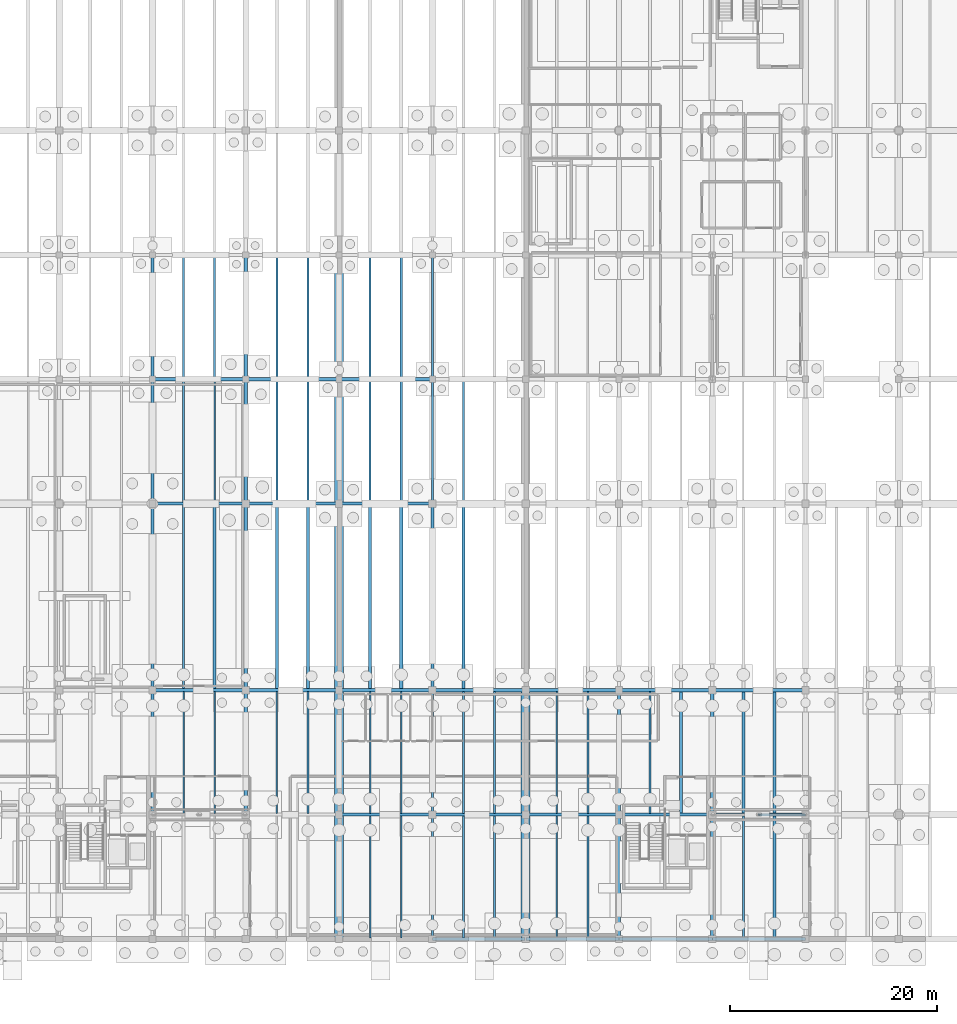
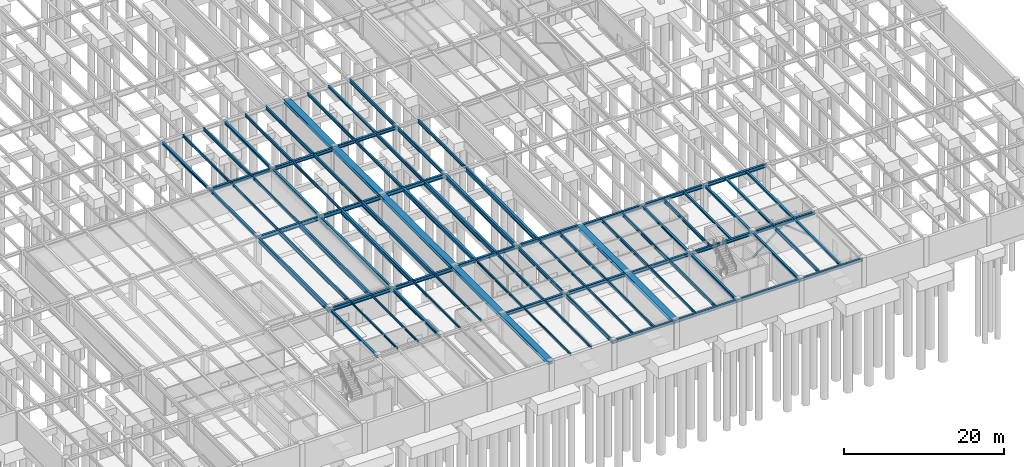
# One storey, part 16 of 40: 88 beams, 2 members.
"""IFC4 building model written with IfcOpenShell, lengths in metres."""

from ifc_helpers import new_model, si_unit, direction, frame, origin, origin_2d, place, context, subcontext, project, spatial, hollow_circle, i_section, extrude, material, material_profile, profile_set, type_object, element, save


model = new_model("IFC4")

# Units and contexts
model_context = context("Model", 3, precision=1e-05, world=origin(), true_north=direction((0.0, 1.0)))
body_context = subcontext(model_context, "Body", "Model", "MODEL_VIEW")
ifc_project = project(units=[si_unit("LENGTHUNIT", "METRE"), si_unit("AREAUNIT", "SQUARE_METRE"), si_unit("VOLUMEUNIT", "CUBIC_METRE"), si_unit("PLANEANGLEUNIT", "RADIAN"), si_unit("MASSUNIT", "GRAM", prefix="KILO")], contexts=[model_context])

# Site, building, storey
site_placement = place(None, origin())
site = spatial("IfcSite", under=ifc_project, at=site_placement, CompositionType="ELEMENT")
building_placement = place(site_placement, origin())
building = spatial("IfcBuilding", under=site, at=building_placement, Name="Montelvaro Courts of Justice", CompositionType="ELEMENT")
storey_placement = place(building_placement, frame((0.0, 0.0, -4.5)))
storey = spatial("IfcBuildingStorey", under=building, at=storey_placement, Name="B01", CompositionType="ELEMENT", Elevation=-4.5)

# Beams
ifc_material = material(Name="Steel S355", Category="steel")
ifc_material_profile_1 = material_profile(ifc_material, i_section(OverallWidth=0.280029296875, OverallDepth=0.27001953125, WebThickness=0.008056640625, FlangeThickness=0.012939453125, at=origin_2d()), Name="HEA 280")
ifc_profile_set_1 = profile_set([ifc_material_profile_1], Name="Steel S355")
beam_type_1 = type_object("IfcBeamType", Name="Beam_HEA280", PredefinedType="BEAM", material=ifc_profile_set_1)
for number, where, z_axis, x_axis, name in (
    (1, (87.0, 54.110107421875, 4.18505859375), (0.0, 1.0, 0.0), (-1.0, 0.0, 0.0), "Beam B-14 B01"),
    (2, (114.0, 12.110107421875, 4.044921875), (0.0, 1.0, 0.0), (-1.0, 0.0, 0.0), "Beam B-14 B01"),
    (3, (123.0, 0.110107421875, 4.044921875), (0.0, 1.0, 0.0), (-1.0, 0.0, 0.0), "Beam B-14 B01"),
    (4, (120.0, 12.110107421875, 4.044921875), (0.0, 1.0, 0.0), (-1.0, 0.0, 0.0), "Beam B-14 B01"),
):
    element("IfcBeam", number, at=place(storey_placement, frame(where, z_axis=z_axis, x_axis=x_axis)), inside=storey, type_object=beam_type_1, Name=name, PredefinedType="BEAM", context=body_context, shape_type="SweptSolid", body=[
        extrude(i_section(OverallWidth=0.280029296875, OverallDepth=0.27001953125, WebThickness=0.008056640625, FlangeThickness=0.012939453125, at=origin_2d()), origin(), (0.0, 0.0, 1.0), 11.77978515625),
    ])
ifc_material_profile_2 = material_profile(ifc_material, i_section(OverallWidth=0.300048828125, OverallDepth=0.31005859375, WebThickness=0.009033203125, FlangeThickness=0.015380859375, at=origin_2d()), Name="HEA 320")
ifc_profile_set_2 = profile_set([ifc_material_profile_2], Name="Steel S355")
beam_type_2 = type_object("IfcBeamType", Name="Beam_HEA320", PredefinedType="BEAM", material=ifc_profile_set_2)
beam_1_placement = place(storey_placement, frame((123.0, 12.110107421875, 4.02490234375), z_axis=(0.0, 1.0, 0.0), x_axis=(-1.0, 0.0, 0.0)))
element("IfcBeam", 5, at=beam_1_placement, inside=storey, type_object=beam_type_2, Name="Beam B-15 B01", PredefinedType="BEAM", context=body_context, shape_type="SweptSolid", body=[
    extrude(i_section(OverallWidth=0.300048828125, OverallDepth=0.31005859375, WebThickness=0.009033203125, FlangeThickness=0.015380859375, at=origin_2d()), origin(), (0.0, 0.0, 1.0), 11.77978515625),
])
ifc_material_profile_3 = material_profile(ifc_material, i_section(OverallWidth=0.300048828125, OverallDepth=0.35009765625, WebThickness=0.010009765625, FlangeThickness=0.017578125, at=origin_2d()), Name="HEA 360")
ifc_profile_set_3 = profile_set([ifc_material_profile_3], Name="Steel S355")
beam_type_3 = type_object("IfcBeamType", Name="Beam_HEA360", PredefinedType="USERDEFINED", material=ifc_profile_set_3)
for number, where, z_axis, x_axis, name in (
    (6, (108.0, 0.0, 4.0048828125), (0.0, 1.0, 0.0), (-1.0, 0.0, 0.0), "Beam B-16 B01"),
    (7, (108.0, 12.0, 4.0048828125), (0.0, 1.0, 0.0), (-1.0, 0.0, 0.0), "Beam B-16 B01"),
):
    element("IfcBeam", number, at=place(storey_placement, frame(where, z_axis=z_axis, x_axis=x_axis)), inside=storey, type_object=beam_type_3, Name=name, ObjectType="GIRDER", PredefinedType="USERDEFINED", context=body_context, shape_type="SweptSolid", body=[
        extrude(i_section(OverallWidth=0.300048828125, OverallDepth=0.35009765625, WebThickness=0.010009765625, FlangeThickness=0.017578125, at=origin_2d()), origin(), (0.0, 0.0, 1.0), 12.0),
    ])
ifc_material_profile_4 = material_profile(ifc_material, i_section(OverallWidth=0.300048828125, OverallDepth=0.389892578125, WebThickness=0.010986328125, FlangeThickness=0.01904296875, at=origin_2d()), Name="HEA 400")
ifc_profile_set_4 = profile_set([ifc_material_profile_4], Name="Steel S355")
beam_type_4 = type_object("IfcBeamType", Name="Beam_HEA400", PredefinedType="USERDEFINED", material=ifc_profile_set_4)
for number, where, z_axis, x_axis, name in (
    (8, (63.0, 12.0, 3.985107421875), (0.0, 1.0, 0.0), (-1.0, 0.0, 0.0), "Beam B-17 B01"),
    (9, (63.0, 42.0, 4.02490234375), (0.0, 1.0, 0.0), (-1.0, 0.0, 0.0), "Beam B-17 B01"),
    (10, (63.0, 54.0, 4.02490234375), (0.0, 1.0, 0.0), (-1.0, 0.0, 0.0), "Beam B-17 B01"),
    (11, (117.0, 0.0, 3.985107421875), (0.0, 1.0, 0.0), (-1.0, 0.0, 0.0), "Beam B-17 B01"),
    (12, (117.0, 12.0, 3.985107421875), (0.0, 1.0, 0.0), (-1.0, 0.0, 0.0), "Beam B-17 B01"),
):
    element("IfcBeam", number, at=place(storey_placement, frame(where, z_axis=z_axis, x_axis=x_axis)), inside=storey, type_object=beam_type_4, Name=name, ObjectType="GIRDER", PredefinedType="USERDEFINED", context=body_context, shape_type="SweptSolid", body=[
        extrude(i_section(OverallWidth=0.300048828125, OverallDepth=0.389892578125, WebThickness=0.010986328125, FlangeThickness=0.01904296875, at=origin_2d()), origin(), (0.0, 0.0, 1.0), 12.0),
    ])
ifc_material_profile_5 = material_profile(ifc_material, i_section(OverallWidth=0.300048828125, OverallDepth=0.43994140625, WebThickness=0.011474609375, FlangeThickness=0.02099609375, at=origin_2d()), Name="HEA 450")
ifc_profile_set_5 = profile_set([ifc_material_profile_5], Name="Steel S355")
beam_type_5 = type_object("IfcBeamType", Name="Beam_HEA450", PredefinedType="USERDEFINED", material=ifc_profile_set_5)
for number, where, z_axis, x_axis, name in (
    (13, (90.0, 0.0, 4.10009765625), (1.0, 0.0, 0.0), (0.0, 1.0, 0.0), "Beam B-18 B01"),
    (14, (99.050048828125, 0.0, 4.10009765625), (1.0, 0.0, 0.0), (0.0, 1.0, 0.0), "Beam B-18 B01"),
):
    element("IfcBeam", number, at=place(storey_placement, frame(where, z_axis=z_axis, x_axis=x_axis)), inside=storey, type_object=beam_type_5, Name=name, ObjectType="GIRDER", PredefinedType="USERDEFINED", context=body_context, shape_type="SweptSolid", body=[
        extrude(i_section(OverallWidth=0.300048828125, OverallDepth=0.43994140625, WebThickness=0.011474609375, FlangeThickness=0.02099609375, at=origin_2d()), origin(), (0.0, 0.0, 1.0), 8.949951171875),
    ])
for number, where, z_axis, x_axis, name in (
    (15, (108.0, 0.0, 4.10009765625), (1.0, 0.0, 0.0), (0.0, 1.0, 0.0), "Beam B-18 B01"),
    (16, (117.0, 0.0, 4.10009765625), (1.0, 0.0, 0.0), (0.0, 1.0, 0.0), "Beam B-18 B01"),
):
    element("IfcBeam", number, at=place(storey_placement, frame(where, z_axis=z_axis, x_axis=x_axis)), inside=storey, type_object=beam_type_5, Name=name, ObjectType="GIRDER", PredefinedType="USERDEFINED", context=body_context, shape_type="SweptSolid", body=[
        extrude(i_section(OverallWidth=0.300048828125, OverallDepth=0.43994140625, WebThickness=0.011474609375, FlangeThickness=0.02099609375, at=origin_2d()), origin(), (0.0, 0.0, 1.0), 9.0),
    ])
for number, where, z_axis, x_axis, name in (
    (17, (72.0, 12.0, 3.9599609375), (0.0, 1.0, 0.0), (-1.0, 0.0, 0.0), "Beam B-18 B01"),
    (18, (72.0, 42.0, 4.0), (0.0, 1.0, 0.0), (-1.0, 0.0, 0.0), "Beam B-18 B01"),
    (19, (72.0, 54.0, 4.0), (0.0, 1.0, 0.0), (-1.0, 0.0, 0.0), "Beam B-18 B01"),
):
    element("IfcBeam", number, at=place(storey_placement, frame(where, z_axis=z_axis, x_axis=x_axis)), inside=storey, type_object=beam_type_5, Name=name, ObjectType="GIRDER", PredefinedType="USERDEFINED", context=body_context, shape_type="SweptSolid", body=[
        extrude(i_section(OverallWidth=0.300048828125, OverallDepth=0.43994140625, WebThickness=0.011474609375, FlangeThickness=0.02099609375, at=origin_2d()), origin(), (0.0, 0.0, 1.0), 12.0),
    ])
ifc_material_profile_6 = material_profile(ifc_material, i_section(OverallWidth=0.300048828125, OverallDepth=0.489990234375, WebThickness=0.011962890625, FlangeThickness=0.02294921875, at=origin_2d()), Name="HEA 500")
ifc_profile_set_6 = profile_set([ifc_material_profile_6], Name="Steel S355")
beam_type_6 = type_object("IfcBeamType", Name="Beam_HEA500", PredefinedType="USERDEFINED", material=ifc_profile_set_6)
for number, where, z_axis, x_axis, name in (
    (20, (81.050048828125, 12.0, 4.074951171875), (1.0, 0.0, 0.0), (0.0, 1.0, 0.0), "Beam B-19 B01"),
    (21, (90.0, 12.0, 4.074951171875), (1.0, 0.0, 0.0), (0.0, 1.0, 0.0), "Beam B-19 B01"),
    (22, (99.050048828125, 12.0, 3.93505859375), (1.0, 0.0, 0.0), (0.0, 1.0, 0.0), "Beam B-19 B01"),
):
    element("IfcBeam", number, at=place(storey_placement, frame(where, z_axis=z_axis, x_axis=x_axis)), inside=storey, type_object=beam_type_6, Name=name, ObjectType="GIRDER", PredefinedType="USERDEFINED", context=body_context, shape_type="SweptSolid", body=[
        extrude(i_section(OverallWidth=0.300048828125, OverallDepth=0.489990234375, WebThickness=0.011962890625, FlangeThickness=0.02294921875, at=origin_2d()), origin(), (0.0, 0.0, 1.0), 8.949951171875),
    ])
for number, where, z_axis, x_axis, name in (
    (23, (108.0, 12.0, 3.93505859375), (1.0, 0.0, 0.0), (0.0, 1.0, 0.0), "Beam B-19 B01"),
    (24, (117.0, 12.0, 3.93505859375), (1.0, 0.0, 0.0), (0.0, 1.0, 0.0), "Beam B-19 B01"),
):
    element("IfcBeam", number, at=place(storey_placement, frame(where, z_axis=z_axis, x_axis=x_axis)), inside=storey, type_object=beam_type_6, Name=name, ObjectType="GIRDER", PredefinedType="USERDEFINED", context=body_context, shape_type="SweptSolid", body=[
        extrude(i_section(OverallWidth=0.300048828125, OverallDepth=0.489990234375, WebThickness=0.011962890625, FlangeThickness=0.02294921875, at=origin_2d()), origin(), (0.0, 0.0, 1.0), 9.0),
    ])
ifc_material_profile_7 = material_profile(ifc_material, i_section(OverallWidth=0.300048828125, OverallDepth=0.5400390625, WebThickness=0.012451171875, FlangeThickness=0.02392578125, at=origin_2d()), Name="HEA 550")
ifc_profile_set_7 = profile_set([ifc_material_profile_7], Name="Steel S355")
beam_type_7 = type_object("IfcBeamType", Name="Beam_HEA550", PredefinedType="USERDEFINED", material=ifc_profile_set_7)
beam_2_placement = place(storey_placement, frame((63.0, 24.0, 3.889892578125), z_axis=(1.0, 0.0, 0.0), x_axis=(0.0, 1.0, 0.0)))
element("IfcBeam", 25, at=beam_2_placement, inside=storey, type_object=beam_type_7, Name="Beam B-20 B01", ObjectType="GIRDER", PredefinedType="USERDEFINED", context=body_context, shape_type="SweptSolid", body=[
    extrude(i_section(OverallWidth=0.300048828125, OverallDepth=0.5400390625, WebThickness=0.012451171875, FlangeThickness=0.02392578125, at=origin_2d()), origin(), (0.0, 0.0, 1.0), 9.0),
])
for number, where, z_axis, x_axis, name in (
    (26, (72.0, 24.0, 3.909912109375), (1.0, 0.0, 0.0), (0.0, 1.0, 0.0), "Beam B-20 B01"),
    (27, (81.050048828125, 24.0, 4.050048828125), (1.0, 0.0, 0.0), (0.0, 1.0, 0.0), "Beam B-20 B01"),
    (28, (90.0, 24.0, 4.050048828125), (1.0, 0.0, 0.0), (0.0, 1.0, 0.0), "Beam B-20 B01"),
    (29, (99.050048828125, 24.0, 3.909912109375), (1.0, 0.0, 0.0), (0.0, 1.0, 0.0), "Beam B-20 B01"),
):
    element("IfcBeam", number, at=place(storey_placement, frame(where, z_axis=z_axis, x_axis=x_axis)), inside=storey, type_object=beam_type_7, Name=name, ObjectType="GIRDER", PredefinedType="USERDEFINED", context=body_context, shape_type="SweptSolid", body=[
        extrude(i_section(OverallWidth=0.300048828125, OverallDepth=0.5400390625, WebThickness=0.012451171875, FlangeThickness=0.02392578125, at=origin_2d()), origin(), (0.0, 0.0, 1.0), 8.949951171875),
    ])
for number, where, z_axis, x_axis, name in (
    (30, (108.0, 24.0, 3.909912109375), (1.0, 0.0, 0.0), (0.0, 1.0, 0.0), "Beam B-20 B01"),
    (31, (117.0, 24.0, 3.909912109375), (1.0, 0.0, 0.0), (0.0, 1.0, 0.0), "Beam B-20 B01"),
):
    element("IfcBeam", number, at=place(storey_placement, frame(where, z_axis=z_axis, x_axis=x_axis)), inside=storey, type_object=beam_type_7, Name=name, ObjectType="GIRDER", PredefinedType="USERDEFINED", context=body_context, shape_type="SweptSolid", body=[
        extrude(i_section(OverallWidth=0.300048828125, OverallDepth=0.5400390625, WebThickness=0.012451171875, FlangeThickness=0.02392578125, at=origin_2d()), origin(), (0.0, 0.0, 1.0), 9.0),
    ])
ifc_material_profile_8 = material_profile(ifc_material, i_section(OverallWidth=0.300048828125, OverallDepth=0.590087890625, WebThickness=0.012939453125, FlangeThickness=0.02490234375, at=origin_2d()), Name="HEA 600")
ifc_profile_set_8 = profile_set([ifc_material_profile_8], Name="Steel S355")
beam_type_8 = type_object("IfcBeamType", Name="Beam_HEA600", PredefinedType="USERDEFINED", material=ifc_profile_set_8)
beam_3_placement = place(storey_placement, frame((63.0, 42.0, 3.864990234375), z_axis=(1.0, 0.0, 0.0), x_axis=(0.0, 1.0, 0.0)))
element("IfcBeam", 32, at=beam_3_placement, inside=storey, type_object=beam_type_8, Name="Beam B-21 B01", ObjectType="GIRDER", PredefinedType="USERDEFINED", context=body_context, shape_type="SweptSolid", body=[
    extrude(i_section(OverallWidth=0.300048828125, OverallDepth=0.590087890625, WebThickness=0.012939453125, FlangeThickness=0.02490234375, at=origin_2d()), origin(), (0.0, 0.0, 1.0), 9.0),
])
for number, where, z_axis, x_axis, name in (
    (33, (72.0, 42.0, 3.925048828125), (1.0, 0.0, 0.0), (0.0, 1.0, 0.0), "Beam B-21 B01"),
    (34, (81.050048828125, 42.0, 4.02490234375), (1.0, 0.0, 0.0), (0.0, 1.0, 0.0), "Beam B-21 B01"),
):
    element("IfcBeam", number, at=place(storey_placement, frame(where, z_axis=z_axis, x_axis=x_axis)), inside=storey, type_object=beam_type_8, Name=name, ObjectType="GIRDER", PredefinedType="USERDEFINED", context=body_context, shape_type="SweptSolid", body=[
        extrude(i_section(OverallWidth=0.300048828125, OverallDepth=0.590087890625, WebThickness=0.012939453125, FlangeThickness=0.02490234375, at=origin_2d()), origin(), (0.0, 0.0, 1.0), 8.949951171875),
    ])
ifc_material_profile_9 = material_profile(ifc_material, i_section(OverallWidth=0.300048828125, OverallDepth=0.639892578125, WebThickness=0.013427734375, FlangeThickness=0.02587890625, at=origin_2d()), Name="HEA 650")
ifc_profile_set_9 = profile_set([ifc_material_profile_9], Name="Steel S355")
beam_type_9 = type_object("IfcBeamType", Name="Beam_HEA650", PredefinedType="USERDEFINED", material=ifc_profile_set_9)
for number, where, z_axis, x_axis, name in (
    (35, (78.0, 24.110107421875, 4.0), (0.0, 1.0, 0.0), (-1.0, 0.0, 0.0), "Beam B-22 B01"),
    (36, (84.0, 24.110107421875, 4.0), (0.0, 1.0, 0.0), (-1.0, 0.0, 0.0), "Beam B-22 B01"),
):
    element("IfcBeam", number, at=place(storey_placement, frame(where, z_axis=z_axis, x_axis=x_axis)), inside=storey, type_object=beam_type_9, Name=name, ObjectType="GIRDER", PredefinedType="USERDEFINED", context=body_context, shape_type="SweptSolid", body=[
        extrude(i_section(OverallWidth=0.300048828125, OverallDepth=0.639892578125, WebThickness=0.013427734375, FlangeThickness=0.02587890625, at=origin_2d()), origin(), (0.0, 0.0, 1.0), 17.77978515625),
    ])
ifc_material_profile_10 = material_profile(ifc_material, i_section(OverallWidth=0.300048828125, OverallDepth=0.68994140625, WebThickness=0.014404296875, FlangeThickness=0.027099609375, at=origin_2d()), Name="HEA 700")
ifc_profile_set_10 = profile_set([ifc_material_profile_10], Name="Steel S355")
beam_type_10 = type_object("IfcBeamType", Name="Beam_HEA700", PredefinedType="USERDEFINED", material=ifc_profile_set_10)
beam_4_placement = place(storey_placement, frame((63.0, 24.0, 3.81494140625), z_axis=(0.0, 1.0, 0.0), x_axis=(-1.0, 0.0, 0.0)))
element("IfcBeam", 37, at=beam_4_placement, inside=storey, type_object=beam_type_10, Name="Beam B-23 B01", ObjectType="GIRDER", PredefinedType="USERDEFINED", context=body_context, shape_type="SweptSolid", body=[
    extrude(i_section(OverallWidth=0.300048828125, OverallDepth=0.68994140625, WebThickness=0.014404296875, FlangeThickness=0.027099609375, at=origin_2d()), origin(), (0.0, 0.0, 1.0), 18.0),
])
for number, where, z_axis, x_axis, name in (
    (38, (87.0, 24.110107421875, 3.97509765625), (0.0, 1.0, 0.0), (-1.0, 0.0, 0.0), "Beam B-23 B01"),
    (39, (93.0, 24.110107421875, 3.97509765625), (0.0, 1.0, 0.0), (-1.0, 0.0, 0.0), "Beam B-23 B01"),
):
    element("IfcBeam", number, at=place(storey_placement, frame(where, z_axis=z_axis, x_axis=x_axis)), inside=storey, type_object=beam_type_10, Name=name, ObjectType="GIRDER", PredefinedType="USERDEFINED", context=body_context, shape_type="SweptSolid", body=[
        extrude(i_section(OverallWidth=0.300048828125, OverallDepth=0.68994140625, WebThickness=0.014404296875, FlangeThickness=0.027099609375, at=origin_2d()), origin(), (0.0, 0.0, 1.0), 17.77978515625),
    ])
ifc_material_profile_11 = material_profile(ifc_material, i_section(OverallWidth=0.300048828125, OverallDepth=0.7900390625, WebThickness=0.014892578125, FlangeThickness=0.028076171875, at=origin_2d()), Name="HEA 800")
ifc_profile_set_11 = profile_set([ifc_material_profile_11], Name="Steel S355")
beam_type_11 = type_object("IfcBeamType", Name="Beam_HEA800", PredefinedType="USERDEFINED", material=ifc_profile_set_11)
beam_5_placement = place(storey_placement, frame((72.0, 24.0, 3.764892578125), z_axis=(0.0, 1.0, 0.0), x_axis=(-1.0, 0.0, 0.0)))
element("IfcBeam", 40, at=beam_5_placement, inside=storey, type_object=beam_type_11, Name="Beam B-24 B01", ObjectType="GIRDER", PredefinedType="USERDEFINED", context=body_context, shape_type="SweptSolid", body=[
    extrude(i_section(OverallWidth=0.300048828125, OverallDepth=0.7900390625, WebThickness=0.014892578125, FlangeThickness=0.028076171875, at=origin_2d()), origin(), (0.0, 0.0, 1.0), 18.0),
])
ifc_material_profile_12 = material_profile(ifc_material, i_section(OverallWidth=0.300048828125, OverallDepth=0.5, WebThickness=0.014404296875, FlangeThickness=0.028076171875, at=origin_2d()), Name="HEB 500")
ifc_profile_set_12 = profile_set([ifc_material_profile_12], Name="Steel S355")
beam_type_12 = type_object("IfcBeamType", Name="Beam_HEB500", PredefinedType="USERDEFINED", material=ifc_profile_set_12)
beam_6_placement = place(storey_placement, frame((63.0, 54.0, 3.969970703125), z_axis=(1.0, 0.0, 0.0), x_axis=(0.0, 1.0, 0.0)))
element("IfcBeam", 41, at=beam_6_placement, inside=storey, type_object=beam_type_12, Name="Beam B-25 B01", ObjectType="GIRDER", PredefinedType="USERDEFINED", context=body_context, shape_type="SweptSolid", body=[
    extrude(i_section(OverallWidth=0.300048828125, OverallDepth=0.5, WebThickness=0.014404296875, FlangeThickness=0.028076171875, at=origin_2d()), origin(), (0.0, 0.0, 1.0), 9.0),
])
for number, where, z_axis, x_axis, name in (
    (42, (72.0, 54.0, 3.969970703125), (1.0, 0.0, 0.0), (0.0, 1.0, 0.0), "Beam B-25 B01"),
    (43, (81.050048828125, 54.0, 4.070068359375), (1.0, 0.0, 0.0), (0.0, 1.0, 0.0), "Beam B-25 B01"),
):
    element("IfcBeam", number, at=place(storey_placement, frame(where, z_axis=z_axis, x_axis=x_axis)), inside=storey, type_object=beam_type_12, Name=name, ObjectType="GIRDER", PredefinedType="USERDEFINED", context=body_context, shape_type="SweptSolid", body=[
        extrude(i_section(OverallWidth=0.300048828125, OverallDepth=0.5, WebThickness=0.014404296875, FlangeThickness=0.028076171875, at=origin_2d()), origin(), (0.0, 0.0, 1.0), 8.949951171875),
    ])
ifc_material_profile_13 = material_profile(ifc_material, i_section(OverallWidth=0.300048828125, OverallDepth=0.64990234375, WebThickness=0.01611328125, FlangeThickness=0.031005859375, at=origin_2d()), Name="HEB 650")
ifc_profile_set_13 = profile_set([ifc_material_profile_13], Name="Steel S355")
beam_type_13 = type_object("IfcBeamType", Name="Beam_HEB650", PredefinedType="USERDEFINED", material=ifc_profile_set_13)
beam_7_placement = place(storey_placement, frame((90.0, 24.0, 3.9951171875), z_axis=(0.0, 1.0, 0.0), x_axis=(-1.0, 0.0, 0.0)))
element("IfcBeam", 44, at=beam_7_placement, inside=storey, type_object=beam_type_13, Name="Beam B-27 B01", ObjectType="GIRDER", PredefinedType="USERDEFINED", context=body_context, shape_type="SweptSolid", body=[
    extrude(i_section(OverallWidth=0.300048828125, OverallDepth=0.64990234375, WebThickness=0.01611328125, FlangeThickness=0.031005859375, at=origin_2d()), origin(), (0.0, 0.0, 1.0), 18.0),
])
for number, where, z_axis, x_axis, name in (
    (45, (69.0, 24.110107421875, 3.8349609375), (0.0, 1.0, 0.0), (-1.0, 0.0, 0.0), "Beam B-27 B01"),
    (46, (75.0, 24.110107421875, 3.89501953125), (0.0, 1.0, 0.0), (-1.0, 0.0, 0.0), "Beam B-27 B01"),
):
    element("IfcBeam", number, at=place(storey_placement, frame(where, z_axis=z_axis, x_axis=x_axis)), inside=storey, type_object=beam_type_13, Name=name, ObjectType="GIRDER", PredefinedType="USERDEFINED", context=body_context, shape_type="SweptSolid", body=[
        extrude(i_section(OverallWidth=0.300048828125, OverallDepth=0.64990234375, WebThickness=0.01611328125, FlangeThickness=0.031005859375, at=origin_2d()), origin(), (0.0, 0.0, 1.0), 17.77978515625),
    ])
ifc_material_profile_14 = material_profile(ifc_material, i_section(OverallWidth=0.14990234375, OverallDepth=0.300048828125, WebThickness=0.007080078125, FlangeThickness=0.0107421875, at=origin_2d()), Name="IPE 300")
ifc_profile_set_14 = profile_set([ifc_material_profile_14], Name="Steel S355")
beam_type_14 = type_object("IfcBeamType", Name="Beam_IPE300", PredefinedType="BEAM", material=ifc_profile_set_14)
beam_8_placement = place(storey_placement, frame((66.0, 12.110107421875, 4.030029296875), z_axis=(0.0, 1.0, 0.0), x_axis=(-1.0, 0.0, 0.0)))
element("IfcBeam", 47, at=beam_8_placement, inside=storey, type_object=beam_type_14, Name="Beam B-05 B01", PredefinedType="BEAM", context=body_context, shape_type="SweptSolid", body=[
    extrude(i_section(OverallWidth=0.14990234375, OverallDepth=0.300048828125, WebThickness=0.007080078125, FlangeThickness=0.0107421875, at=origin_2d()), origin(), (0.0, 0.0, 1.0), 11.77978515625),
])
ifc_material_profile_15 = material_profile(ifc_material, i_section(OverallWidth=0.159912109375, OverallDepth=0.330078125, WebThickness=0.007568359375, FlangeThickness=0.011474609375, at=origin_2d()), Name="IPE 330")
ifc_profile_set_15 = profile_set([ifc_material_profile_15], Name="Steel S355")
beam_type_15 = type_object("IfcBeamType", Name="Beam_IPE330", PredefinedType="BEAM", material=ifc_profile_set_15)
for number, where, z_axis, x_axis, name in (
    (48, (69.0, 12.110107421875, 4.014892578125), (0.0, 1.0, 0.0), (-1.0, 0.0, 0.0), "Beam B-06 B01"),
    (49, (75.0, 12.110107421875, 4.014892578125), (0.0, 1.0, 0.0), (-1.0, 0.0, 0.0), "Beam B-06 B01"),
    (50, (84.0, 0.110107421875, 4.155029296875), (0.0, 1.0, 0.0), (-1.0, 0.0, 0.0), "Beam B-06 B01"),
):
    element("IfcBeam", number, at=place(storey_placement, frame(where, z_axis=z_axis, x_axis=x_axis)), inside=storey, type_object=beam_type_15, Name=name, PredefinedType="BEAM", context=body_context, shape_type="SweptSolid", body=[
        extrude(i_section(OverallWidth=0.159912109375, OverallDepth=0.330078125, WebThickness=0.007568359375, FlangeThickness=0.011474609375, at=origin_2d()), origin(), (0.0, 0.0, 1.0), 11.77978515625),
    ])
ifc_material_profile_16 = material_profile(ifc_material, i_section(OverallWidth=0.169921875, OverallDepth=0.360107421875, WebThickness=0.008056640625, FlangeThickness=0.0126953125, at=origin_2d()), Name="IPE 360")
ifc_profile_set_16 = profile_set([ifc_material_profile_16], Name="Steel S355")
beam_type_16 = type_object("IfcBeamType", Name="Beam_IPE360", PredefinedType="BEAM", material=ifc_profile_set_16)
for number, where, z_axis, x_axis, name in (
    (51, (66.0, 42.110107421875, 4.0400390625), (0.0, 1.0, 0.0), (-1.0, 0.0, 0.0), "Beam B-07 B01"),
    (52, (78.0, 12.110107421875, 4.139892578125), (0.0, 1.0, 0.0), (-1.0, 0.0, 0.0), "Beam B-07 B01"),
    (53, (87.0, 0.110107421875, 4.139892578125), (0.0, 1.0, 0.0), (-1.0, 0.0, 0.0), "Beam B-07 B01"),
    (54, (84.0, 12.110107421875, 4.139892578125), (0.0, 1.0, 0.0), (-1.0, 0.0, 0.0), "Beam B-07 B01"),
    (55, (93.0, 0.110107421875, 4.139892578125), (0.0, 1.0, 0.0), (-1.0, 0.0, 0.0), "Beam B-07 B01"),
):
    element("IfcBeam", number, at=place(storey_placement, frame(where, z_axis=z_axis, x_axis=x_axis)), inside=storey, type_object=beam_type_16, Name=name, PredefinedType="BEAM", context=body_context, shape_type="SweptSolid", body=[
        extrude(i_section(OverallWidth=0.169921875, OverallDepth=0.360107421875, WebThickness=0.008056640625, FlangeThickness=0.0126953125, at=origin_2d()), origin(), (0.0, 0.0, 1.0), 11.77978515625),
    ])
ifc_material_profile_17 = material_profile(ifc_material, i_section(OverallWidth=0.179931640625, OverallDepth=0.39990234375, WebThickness=0.008544921875, FlangeThickness=0.013427734375, at=origin_2d()), Name="IPE 400")
ifc_profile_set_17 = profile_set([ifc_material_profile_17], Name="Steel S355")
beam_type_17 = type_object("IfcBeamType", Name="Beam_IPE400", PredefinedType="BEAM", material=ifc_profile_set_17)
for number, where, z_axis, x_axis, name in (
    (56, (69.0, 42.110107421875, 4.02001953125), (0.0, 1.0, 0.0), (-1.0, 0.0, 0.0), "Beam B-08 B01"),
    (57, (66.0, 54.110107421875, 4.02001953125), (0.0, 1.0, 0.0), (-1.0, 0.0, 0.0), "Beam B-08 B01"),
    (58, (75.0, 42.110107421875, 4.02001953125), (0.0, 1.0, 0.0), (-1.0, 0.0, 0.0), "Beam B-08 B01"),
    (59, (87.0, 12.110107421875, 4.1201171875), (0.0, 1.0, 0.0), (-1.0, 0.0, 0.0), "Beam B-08 B01"),
    (60, (96.0, 0.110107421875, 4.1201171875), (0.0, 1.0, 0.0), (-1.0, 0.0, 0.0), "Beam B-08 B01"),
    (61, (93.0, 12.110107421875, 4.1201171875), (0.0, 1.0, 0.0), (-1.0, 0.0, 0.0), "Beam B-08 B01"),
    (62, (102.0, 0.110107421875, 4.1201171875), (0.0, 1.0, 0.0), (-1.0, 0.0, 0.0), "Beam B-08 B01"),
):
    element("IfcBeam", number, at=place(storey_placement, frame(where, z_axis=z_axis, x_axis=x_axis)), inside=storey, type_object=beam_type_17, Name=name, PredefinedType="BEAM", context=body_context, shape_type="SweptSolid", body=[
        extrude(i_section(OverallWidth=0.179931640625, OverallDepth=0.39990234375, WebThickness=0.008544921875, FlangeThickness=0.013427734375, at=origin_2d()), origin(), (0.0, 0.0, 1.0), 11.77978515625),
    ])
ifc_material_profile_18 = material_profile(ifc_material, i_section(OverallWidth=0.18994140625, OverallDepth=0.449951171875, WebThickness=0.009521484375, FlangeThickness=0.0146484375, at=origin_2d()), Name="IPE 450")
ifc_profile_set_18 = profile_set([ifc_material_profile_18], Name="Steel S355")
beam_type_18 = type_object("IfcBeamType", Name="Beam_IPE450", PredefinedType="BEAM", material=ifc_profile_set_18)
for number, where, z_axis, x_axis, name in (
    (63, (69.0, 54.110107421875, 3.9951171875), (0.0, 1.0, 0.0), (-1.0, 0.0, 0.0), "Beam B-09 B01"),
    (64, (78.0, 42.110107421875, 4.094970703125), (0.0, 1.0, 0.0), (-1.0, 0.0, 0.0), "Beam B-09 B01"),
    (65, (75.0, 54.110107421875, 3.9951171875), (0.0, 1.0, 0.0), (-1.0, 0.0, 0.0), "Beam B-09 B01"),
    (66, (84.0, 42.110107421875, 4.094970703125), (0.0, 1.0, 0.0), (-1.0, 0.0, 0.0), "Beam B-09 B01"),
    (67, (96.0, 12.110107421875, 4.094970703125), (0.0, 1.0, 0.0), (-1.0, 0.0, 0.0), "Beam B-09 B01"),
    (68, (105.0, 0.110107421875, 3.955078125), (0.0, 1.0, 0.0), (-1.0, 0.0, 0.0), "Beam B-09 B01"),
    (69, (102.0, 12.110107421875, 4.094970703125), (0.0, 1.0, 0.0), (-1.0, 0.0, 0.0), "Beam B-09 B01"),
):
    element("IfcBeam", number, at=place(storey_placement, frame(where, z_axis=z_axis, x_axis=x_axis)), inside=storey, type_object=beam_type_18, Name=name, PredefinedType="BEAM", context=body_context, shape_type="SweptSolid", body=[
        extrude(i_section(OverallWidth=0.18994140625, OverallDepth=0.449951171875, WebThickness=0.009521484375, FlangeThickness=0.0146484375, at=origin_2d()), origin(), (0.0, 0.0, 1.0), 11.77978515625),
    ])
ifc_material_profile_19 = material_profile(ifc_material, i_section(OverallWidth=0.199951171875, OverallDepth=0.5, WebThickness=0.01025390625, FlangeThickness=0.01611328125, at=origin_2d()), Name="IPE 500")
ifc_profile_set_19 = profile_set([ifc_material_profile_19], Name="Steel S355")
beam_type_19 = type_object("IfcBeamType", Name="Beam_IPE500", PredefinedType="BEAM", material=ifc_profile_set_19)
for number, where, z_axis, x_axis, name in (
    (70, (78.0, 54.110107421875, 4.070068359375), (0.0, 1.0, 0.0), (-1.0, 0.0, 0.0), "Beam B-10 B01"),
    (71, (87.0, 42.110107421875, 4.070068359375), (0.0, 1.0, 0.0), (-1.0, 0.0, 0.0), "Beam B-10 B01"),
    (72, (84.0, 54.110107421875, 4.070068359375), (0.0, 1.0, 0.0), (-1.0, 0.0, 0.0), "Beam B-10 B01"),
    (73, (93.0, 42.110107421875, 4.070068359375), (0.0, 1.0, 0.0), (-1.0, 0.0, 0.0), "Beam B-10 B01"),
    (74, (105.0, 12.110107421875, 3.929931640625), (0.0, 1.0, 0.0), (-1.0, 0.0, 0.0), "Beam B-10 B01"),
    (75, (111.0, 12.110107421875, 3.929931640625), (0.0, 1.0, 0.0), (-1.0, 0.0, 0.0), "Beam B-10 B01"),
    (76, (120.0, 0.110107421875, 3.929931640625), (0.0, 1.0, 0.0), (-1.0, 0.0, 0.0), "Beam B-10 B01"),
):
    element("IfcBeam", number, at=place(storey_placement, frame(where, z_axis=z_axis, x_axis=x_axis)), inside=storey, type_object=beam_type_19, Name=name, PredefinedType="BEAM", context=body_context, shape_type="SweptSolid", body=[
        extrude(i_section(OverallWidth=0.199951171875, OverallDepth=0.5, WebThickness=0.01025390625, FlangeThickness=0.01611328125, at=origin_2d()), origin(), (0.0, 0.0, 1.0), 11.77978515625),
    ])
ifc_material_profile_20 = material_profile(ifc_material, i_section(OverallWidth=0.2099609375, OverallDepth=0.550048828125, WebThickness=0.010986328125, FlangeThickness=0.01708984375, at=origin_2d()), Name="IPE 550")
ifc_profile_set_20 = profile_set([ifc_material_profile_20], Name="Steel S355")
beam_type_20 = type_object("IfcBeamType", Name="Beam_IPE550", PredefinedType="BEAM", material=ifc_profile_set_20)
for number, where, z_axis, x_axis, name in (
    (77, (90.0, 0.0, 4.044921875), (0.0, 1.0, 0.0), (-1.0, 0.0, 0.0), "Beam B-11 B01"),
    (78, (90.0, 12.0, 4.044921875), (0.0, 1.0, 0.0), (-1.0, 0.0, 0.0), "Beam B-11 B01"),
    (79, (90.0, 42.0, 4.044921875), (0.0, 1.0, 0.0), (-1.0, 0.0, 0.0), "Beam B-11 B01"),
    (80, (90.0, 54.0, 4.044921875), (0.0, 1.0, 0.0), (-1.0, 0.0, 0.0), "Beam B-11 B01"),
):
    element("IfcBeam", number, at=place(storey_placement, frame(where, z_axis=z_axis, x_axis=x_axis)), inside=storey, type_object=beam_type_20, Name=name, PredefinedType="BEAM", context=body_context, shape_type="SweptSolid", body=[
        extrude(i_section(OverallWidth=0.2099609375, OverallDepth=0.550048828125, WebThickness=0.010986328125, FlangeThickness=0.01708984375, at=origin_2d()), origin(), (0.0, 0.0, 1.0), 12.0),
    ])
ifc_material_profile_21 = material_profile(ifc_material, i_section(OverallWidth=0.219970703125, OverallDepth=0.60009765625, WebThickness=0.011962890625, FlangeThickness=0.01904296875, at=origin_2d()), Name="IPE 600")
ifc_profile_set_21 = profile_set([ifc_material_profile_21], Name="Steel S355")
beam_type_21 = type_object("IfcBeamType", Name="Beam_IPE600", PredefinedType="USERDEFINED", material=ifc_profile_set_21)
beam_9_placement = place(storey_placement, frame((66.0, 24.110107421875, 3.860107421875), z_axis=(0.0, 1.0, 0.0), x_axis=(-1.0, 0.0, 0.0)))
element("IfcBeam", 81, at=beam_9_placement, inside=storey, type_object=beam_type_21, Name="Beam B-12 B01", ObjectType="GIRDER", PredefinedType="USERDEFINED", context=body_context, shape_type="SweptSolid", body=[
    extrude(i_section(OverallWidth=0.219970703125, OverallDepth=0.60009765625, WebThickness=0.011962890625, FlangeThickness=0.01904296875, at=origin_2d()), origin(), (0.0, 0.0, 1.0), 17.77978515625),
])
ifc_material_profile_22 = material_profile(ifc_material, i_section(OverallWidth=0.860107421875, OverallDepth=0.47998046875, WebThickness=0.02001953125, FlangeThickness=0.031982421875, at=origin_2d()), Name="HL 480x860")
ifc_profile_set_22 = profile_set([ifc_material_profile_22], Name="Steel S355")
beam_type_22 = type_object("IfcBeamType", Name="Beam_MJSeat_860", PredefinedType="USERDEFINED", material=ifc_profile_set_22)
for number, where, z_axis, x_axis, name in (
    (82, (81.0, 0.0, 4.080078125), (0.0, 1.0, 0.0), (-1.0, 0.0, 0.0), "Beam BC-01 B01"),
    (83, (81.0, 12.0, 4.080078125), (0.0, 1.0, 0.0), (-1.0, 0.0, 0.0), "Beam BC-01 B01"),
):
    element("IfcBeam", number, at=place(storey_placement, frame(where, z_axis=z_axis, x_axis=x_axis)), inside=storey, type_object=beam_type_22, Name=name, ObjectType="GIRDER", PredefinedType="USERDEFINED", context=body_context, shape_type="SweptSolid", body=[
        extrude(i_section(OverallWidth=0.860107421875, OverallDepth=0.47998046875, WebThickness=0.02001953125, FlangeThickness=0.031982421875, at=origin_2d()), origin(), (0.0, 0.0, 1.0), 12.0),
    ])
beam_10_placement = place(storey_placement, frame((81.0, 24.0, 4.080078125), z_axis=(0.0, 1.0, 0.0), x_axis=(-1.0, 0.0, 0.0)))
element("IfcBeam", 84, at=beam_10_placement, inside=storey, type_object=beam_type_22, Name="Beam BC-01 B01", ObjectType="GIRDER", PredefinedType="USERDEFINED", context=body_context, shape_type="SweptSolid", body=[
    extrude(i_section(OverallWidth=0.860107421875, OverallDepth=0.47998046875, WebThickness=0.02001953125, FlangeThickness=0.031982421875, at=origin_2d()), origin(), (0.0, 0.0, 1.0), 18.0),
])
for number, where, z_axis, x_axis, name in (
    (85, (81.0, 42.0, 4.080078125), (0.0, 1.0, 0.0), (-1.0, 0.0, 0.0), "Beam BC-01 B01"),
    (86, (81.0, 54.0, 4.080078125), (0.0, 1.0, 0.0), (-1.0, 0.0, 0.0), "Beam BC-01 B01"),
    (87, (99.0, 0.0, 4.080078125), (0.0, 1.0, 0.0), (-1.0, 0.0, 0.0), "Beam BC-01 B01"),
    (88, (99.0, 12.0, 4.080078125), (0.0, 1.0, 0.0), (-1.0, 0.0, 0.0), "Beam BC-01 B01"),
):
    element("IfcBeam", number, at=place(storey_placement, frame(where, z_axis=z_axis, x_axis=x_axis)), inside=storey, type_object=beam_type_22, Name=name, ObjectType="GIRDER", PredefinedType="USERDEFINED", context=body_context, shape_type="SweptSolid", body=[
        extrude(i_section(OverallWidth=0.860107421875, OverallDepth=0.47998046875, WebThickness=0.02001953125, FlangeThickness=0.031982421875, at=origin_2d()), origin(), (0.0, 0.0, 1.0), 12.0),
    ])

# Members
ifc_material_profile_23 = material_profile(ifc_material, hollow_circle(Radius=0.136474609375, WallThickness=0.012451171875, at=origin_2d()), Name="CHS 273x12.5")
ifc_profile_set_23 = profile_set([ifc_material_profile_23], Name="Steel S355")
member_type = type_object("IfcMemberType", Name="Mem_CHS273_Brace", PredefinedType="BRACE", material=ifc_profile_set_23)
for number, where, z_axis, x_axis, name in (
    (89, (117.080078125, 12.0, 0.199951171875), (0.783104651655, 0.0, 0.621889945694), (0.0, 1.0, 0.0), "Lateral Braced Frame CBF2 Diagonal 1 (B01)"),
    (90, (125.919921875, 12.0, 0.199951171875), (-0.783104651655, 0.0, 0.621889945694), (0.0, -1.0, 0.0), "Lateral Braced Frame CBF2 Diagonal 2 (B01)"),
):
    element("IfcMember", number, at=place(storey_placement, frame(where, z_axis=z_axis, x_axis=x_axis)), inside=storey, type_object=member_type, Name=name, PredefinedType="BRACE", context=body_context, shape_type="SweptSolid", body=[
        extrude(hollow_circle(Radius=0.136474609375, WallThickness=0.012451171875, at=origin_2d()), origin(), (0.0, 0.0, 1.0), 5.64404296875),
    ])

save(model, "model.ifc")
